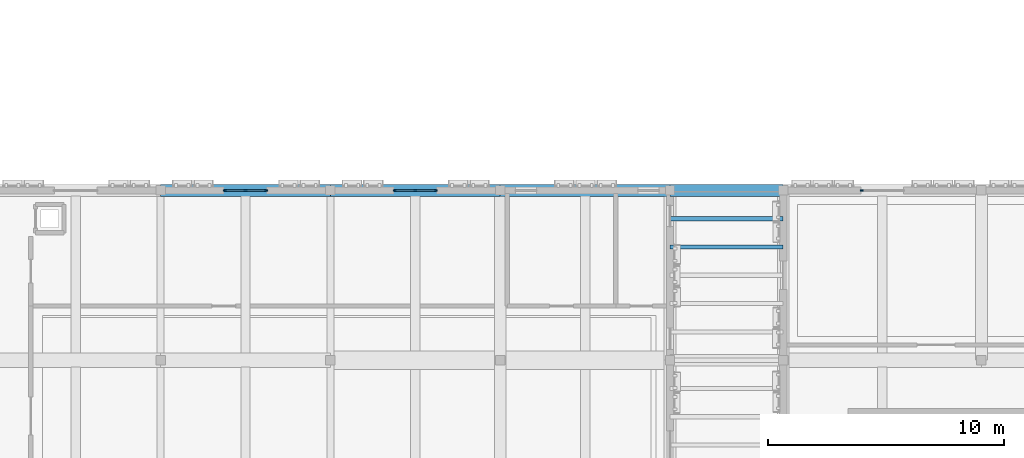
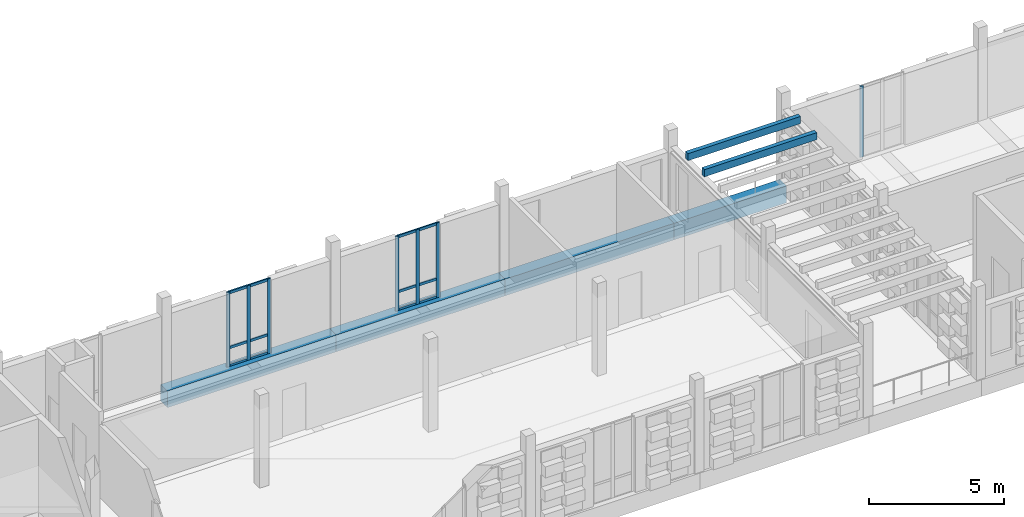
# One storey, part 23 of 99: 15 members, 4 beams, 3 elements without a shape of their own.
"""IFC4 building model written with IfcOpenShell, lengths in metres."""

from ifc_helpers import new_model, si_unit, direction, frame, origin, origin_2d, place, context, subcontext, project, spatial, rectangle, extrude, material, material_profile, profile_set, type_object, element, aggregate, save


model = new_model("IFC4")

# Units and contexts
model_context = context("Model", 3, precision=1e-05, world=origin(), true_north=direction((0.0, 1.0)))
body_context = subcontext(model_context, "Body", "Model", "MODEL_VIEW")
ifc_project = project(units=[si_unit("LENGTHUNIT", "METRE"), si_unit("AREAUNIT", "SQUARE_METRE"), si_unit("VOLUMEUNIT", "CUBIC_METRE"), si_unit("PLANEANGLEUNIT", "RADIAN"), si_unit("MASSUNIT", "GRAM", prefix="KILO")], contexts=[model_context])

# Site, building, storey
site_placement = place(None, origin())
site = spatial("IfcSite", under=ifc_project, at=site_placement, CompositionType="ELEMENT")
building_placement = place(site_placement, origin())
building = spatial("IfcBuilding", under=site, at=building_placement, Name="Kahlenmark Community Centre", CompositionType="ELEMENT")
storey_placement = place(building_placement, frame((0.0, 0.0, 5.39990234375)))
storey = spatial("IfcBuildingStorey", under=building, at=storey_placement, Name="L01", CompositionType="ELEMENT", Elevation=5.39990234375)

# Beams
ifc_material_1 = material(Name="Concrete C35/45", Category="concrete")
ifc_material_profile_1 = material_profile(ifc_material_1, rectangle(XDim=0.5, YDim=0.75, at=origin_2d()), Name="RC 500x750")
ifc_profile_set_1 = profile_set([ifc_material_profile_1], Name="Concrete C35/45")
beam_type = type_object("IfcBeamType", Name="BT-SPANDREL-RC500x750", PredefinedType="SPANDREL", material=ifc_profile_set_1)
beam_1_placement = place(storey_placement, frame((65.199951171875, 23.199951171875, -0.375), z_axis=(1.0, 0.0, 0.0), x_axis=(0.0, 1.0, 0.0)))
element("IfcBeam", 1, at=beam_1_placement, inside=storey, type_object=beam_type, Name="L01 spandrel SP-RC500x750", PredefinedType="SPANDREL", context=body_context, shape_type="SweptSolid", body=[
    extrude(rectangle(XDim=0.5, YDim=0.75, at=origin_2d()), origin(), (0.0, 0.0, 1.0), 7.199951171875),
])
beam_2_placement = place(storey_placement, frame((72.39990234375, 23.199951171875, -0.375), z_axis=(1.0, 0.0, 0.0), x_axis=(0.0, 1.0, 0.0)))
element("IfcBeam", 2, at=beam_2_placement, inside=storey, type_object=beam_type, Name="L01 spandrel SP-RC500x750", PredefinedType="SPANDREL", context=body_context, shape_type="SweptSolid", body=[
    extrude(rectangle(XDim=0.5, YDim=0.75, at=origin_2d()), origin(), (0.0, 0.0, 1.0), 7.2001953125),
])
beam_3_placement = place(storey_placement, frame((79.60009765625, 23.199951171875, -0.375), z_axis=(1.0, 0.0, 0.0), x_axis=(0.0, 1.0, 0.0)))
element("IfcBeam", 3, at=beam_3_placement, inside=storey, type_object=beam_type, Name="L01 spandrel SP-RC500x750", PredefinedType="SPANDREL", context=body_context, shape_type="SweptSolid", body=[
    extrude(rectangle(XDim=0.5, YDim=0.75, at=origin_2d()), origin(), (0.0, 0.0, 1.0), 7.199951171875),
])
beam_4_placement = place(storey_placement, frame((86.800048828125, 23.199951171875, -0.375), z_axis=(1.0, 0.0, 0.0), x_axis=(0.0, 1.0, 0.0)))
element("IfcBeam", 4, at=beam_4_placement, inside=storey, type_object=beam_type, Name="L01 spandrel SP-RC500x750", PredefinedType="SPANDREL", context=body_context, shape_type="SweptSolid", body=[
    extrude(rectangle(XDim=0.5, YDim=0.75, at=origin_2d()), origin(), (0.0, 0.0, 1.0), 4.800048828125),
])

# Curtain wall, members
ifc_material_2 = material(Name="Anodised aluminium unitised curtain wall", Category="aluminium")
curtain_wall_type_1 = type_object("IfcCurtainWallType", Name="CWT-UNIT-180X337", PredefinedType="USERDEFINED", material=ifc_material_2)
curtain_wall_1_placement = place(storey_placement, origin())
curtain_wall_1 = element("IfcCurtainWall", 5, at=curtain_wall_1_placement, inside=storey, type_object=curtain_wall_type_1, Name="Unitised curtain wall CW-025", ObjectType="UNITISED CURTAIN WALL", PredefinedType="USERDEFINED")
ifc_material_3 = material(Name="Anodised aluminium 6063-T6", Category="aluminium")
ifc_material_profile_2 = material_profile(ifc_material_3, rectangle(XDim=0.06005859375, YDim=0.139892578125, at=origin_2d()), Name="ALU MULLION 60x140")
ifc_profile_set_2 = profile_set([ifc_material_profile_2], Name="Anodised aluminium 6063-T6")
member_type_1 = type_object("IfcMemberType", Name="MT-MUL-140", PredefinedType="MULLION", material=ifc_profile_set_2)
member_1_placement = place(storey_placement, frame((69.669921875, 23.199951171875, 0.0), z_axis=(0.0, 0.0, 1.0), x_axis=(0.0, -1.0, 0.0)))
member_1 = element("IfcMember", 6, at=member_1_placement, type_object=member_type_1, Name="CW-025 mullion 1", PredefinedType="MULLION", context=body_context, shape_type="SweptSolid", body=[
    extrude(rectangle(XDim=0.06005859375, YDim=0.139892578125, at=origin_2d()), origin(), (0.0, 0.0, 1.0), 3.3701171875),
])
member_2_placement = place(storey_placement, frame((68.800048828125, 23.199951171875, 0.0), z_axis=(0.0, 0.0, 1.0), x_axis=(0.0, -1.0, 0.0)))
member_2 = element("IfcMember", 7, at=member_2_placement, type_object=member_type_1, Name="CW-025 mullion 2", PredefinedType="MULLION", context=body_context, shape_type="SweptSolid", body=[
    extrude(rectangle(XDim=0.06005859375, YDim=0.139892578125, at=origin_2d()), origin(), (0.0, 0.0, 1.0), 3.3701171875),
])
member_3_placement = place(storey_placement, frame((67.929931640625, 23.199951171875, 0.0), z_axis=(0.0, 0.0, 1.0), x_axis=(0.0, -1.0, 0.0)))
member_3 = element("IfcMember", 8, at=member_3_placement, type_object=member_type_1, Name="CW-025 mullion 3", PredefinedType="MULLION", context=body_context, shape_type="SweptSolid", body=[
    extrude(rectangle(XDim=0.06005859375, YDim=0.139892578125, at=origin_2d()), origin(), (0.0, 0.0, 1.0), 3.3701171875),
])

curtain_wall_2_placement = place(storey_placement, origin())
curtain_wall_2 = element("IfcCurtainWall", 9, at=curtain_wall_2_placement, inside=storey, type_object=curtain_wall_type_1, Name="Unitised curtain wall CW-026", ObjectType="UNITISED CURTAIN WALL", PredefinedType="USERDEFINED")
member_4_placement = place(storey_placement, frame((76.8701171875, 23.199951171875, 0.0), z_axis=(0.0, 0.0, 1.0), x_axis=(0.0, -1.0, 0.0)))
member_4 = element("IfcMember", 10, at=member_4_placement, type_object=member_type_1, Name="CW-026 mullion 1", PredefinedType="MULLION", context=body_context, shape_type="SweptSolid", body=[
    extrude(rectangle(XDim=0.06005859375, YDim=0.139892578125, at=origin_2d()), origin(), (0.0, 0.0, 1.0), 3.3701171875),
])
member_5_placement = place(storey_placement, frame((76.0, 23.199951171875, 0.0), z_axis=(0.0, 0.0, 1.0), x_axis=(0.0, -1.0, 0.0)))
member_5 = element("IfcMember", 11, at=member_5_placement, type_object=member_type_1, Name="CW-026 mullion 2", PredefinedType="MULLION", context=body_context, shape_type="SweptSolid", body=[
    extrude(rectangle(XDim=0.06005859375, YDim=0.139892578125, at=origin_2d()), origin(), (0.0, 0.0, 1.0), 3.3701171875),
])
member_6_placement = place(storey_placement, frame((75.1298828125, 23.199951171875, 0.0), z_axis=(0.0, 0.0, 1.0), x_axis=(0.0, -1.0, 0.0)))
member_6 = element("IfcMember", 12, at=member_6_placement, type_object=member_type_1, Name="CW-026 mullion 3", PredefinedType="MULLION", context=body_context, shape_type="SweptSolid", body=[
    extrude(rectangle(XDim=0.06005859375, YDim=0.139892578125, at=origin_2d()), origin(), (0.0, 0.0, 1.0), 3.3701171875),
])

# Curtain wall, member
curtain_wall_type_2 = type_object("IfcCurtainWallType", Name="CWT-UNIT-180X321", PredefinedType="USERDEFINED", material=ifc_material_2)
curtain_wall_3_placement = place(storey_placement, origin())
curtain_wall_3 = element("IfcCurtainWall", 13, at=curtain_wall_3_placement, inside=storey, type_object=curtain_wall_type_2, Name="Unitised curtain wall CW-047", ObjectType="UNITISED CURTAIN WALL", PredefinedType="USERDEFINED")
member_7_placement = place(storey_placement, frame((94.929931640625, 23.199951171875, 0.0), z_axis=(0.0, 0.0, 1.0), x_axis=(0.0, -1.0, 0.0)))
member_7 = element("IfcMember", 14, at=member_7_placement, type_object=member_type_1, Name="CW-047 mullion 3", PredefinedType="MULLION", context=body_context, shape_type="SweptSolid", body=[
    extrude(rectangle(XDim=0.06005859375, YDim=0.139892578125, at=origin_2d()), origin(), (0.0, 0.0, 1.0), 3.210205078125),
])
aggregate(curtain_wall_3, [member_7])

# Members
ifc_material_4 = material(Name="Glulam GL28h", Category="wood")
ifc_material_profile_3 = material_profile(ifc_material_4, rectangle(XDim=0.179931640625, YDim=0.320068359375, at=origin_2d()), Name="GL28h 180x320")
ifc_profile_set_3 = profile_set([ifc_material_profile_3], Name="Glulam GL28h")
member_type_2 = type_object("IfcMemberType", Name="MT-RAFTER-GL28h180x320", PredefinedType="RAFTER", material=ifc_profile_set_3)
for number, where, z_axis, x_axis, name in (
    (15, (86.800048828125, 20.800048828125, 3.610107421875), (1.0, 0.0, 0.0), (0.0, 1.0, 0.0), "L01 rafter PRG-RAF"),
    (16, (86.800048828125, 22.0, 3.610107421875), (1.0, 0.0, 0.0), (0.0, 1.0, 0.0), "L01 rafter PRG-RAF"),
):
    element("IfcMember", number, at=place(storey_placement, frame(where, z_axis=z_axis, x_axis=x_axis)), inside=storey, type_object=member_type_2, Name=name, PredefinedType="RAFTER", context=body_context, shape_type="SweptSolid", body=[
        extrude(rectangle(XDim=0.179931640625, YDim=0.320068359375, at=origin_2d()), origin(), (0.0, 0.0, 1.0), 4.800048828125),
    ])

# Member
ifc_material_profile_4 = material_profile(ifc_material_3, rectangle(XDim=0.06005859375, YDim=0.1201171875, at=origin_2d()), Name="ALU TRANSOM 60x120")
ifc_profile_set_4 = profile_set([ifc_material_profile_4], Name="Anodised aluminium 6063-T6")
member_type_3 = type_object("IfcMemberType", Name="MT-TRN-120", PredefinedType="USERDEFINED", material=ifc_profile_set_4)
member_8_placement = place(storey_placement, frame((69.669921875, 23.199951171875, 0.0400390625), z_axis=(-1.0, 0.0, 0.0), x_axis=(0.0, -1.0, 0.0)))
member_8 = element("IfcMember", 17, at=member_8_placement, type_object=member_type_3, Name="CW-025 transom 1", ObjectType="TRANSOM", PredefinedType="USERDEFINED", context=body_context, shape_type="SweptSolid", body=[
    extrude(rectangle(XDim=0.06005859375, YDim=0.1201171875, at=origin_2d()), origin(), (0.0, 0.0, 1.0), 1.739990234375),
])

member_9_placement = place(storey_placement, frame((69.669921875, 23.199951171875, 0.85009765625), z_axis=(-1.0, 0.0, 0.0), x_axis=(0.0, -1.0, 0.0)))
member_9 = element("IfcMember", 18, at=member_9_placement, type_object=member_type_3, Name="CW-025 transom 2", ObjectType="TRANSOM", PredefinedType="USERDEFINED", context=body_context, shape_type="SweptSolid", body=[
    extrude(rectangle(XDim=0.06005859375, YDim=0.1201171875, at=origin_2d()), origin(), (0.0, 0.0, 1.0), 1.739990234375),
])

member_10_placement = place(storey_placement, frame((69.669921875, 23.199951171875, 3.330078125), z_axis=(-1.0, 0.0, 0.0), x_axis=(0.0, -1.0, 0.0)))
member_10 = element("IfcMember", 19, at=member_10_placement, type_object=member_type_3, Name="CW-025 transom 3", ObjectType="TRANSOM", PredefinedType="USERDEFINED", context=body_context, shape_type="SweptSolid", body=[
    extrude(rectangle(XDim=0.06005859375, YDim=0.1201171875, at=origin_2d()), origin(), (0.0, 0.0, 1.0), 1.739990234375),
])

aggregate(curtain_wall_1, [member_1, member_2, member_3, member_8, member_9, member_10])

member_11_placement = place(storey_placement, frame((76.8701171875, 23.199951171875, 0.0400390625), z_axis=(-1.0, 0.0, 0.0), x_axis=(0.0, -1.0, 0.0)))
member_11 = element("IfcMember", 20, at=member_11_placement, type_object=member_type_3, Name="CW-026 transom 1", ObjectType="TRANSOM", PredefinedType="USERDEFINED", context=body_context, shape_type="SweptSolid", body=[
    extrude(rectangle(XDim=0.06005859375, YDim=0.1201171875, at=origin_2d()), origin(), (0.0, 0.0, 1.0), 1.740234375),
])

member_12_placement = place(storey_placement, frame((76.8701171875, 23.199951171875, 0.85009765625), z_axis=(-1.0, 0.0, 0.0), x_axis=(0.0, -1.0, 0.0)))
member_12 = element("IfcMember", 21, at=member_12_placement, type_object=member_type_3, Name="CW-026 transom 2", ObjectType="TRANSOM", PredefinedType="USERDEFINED", context=body_context, shape_type="SweptSolid", body=[
    extrude(rectangle(XDim=0.06005859375, YDim=0.1201171875, at=origin_2d()), origin(), (0.0, 0.0, 1.0), 1.740234375),
])

member_13_placement = place(storey_placement, frame((76.8701171875, 23.199951171875, 3.330078125), z_axis=(-1.0, 0.0, 0.0), x_axis=(0.0, -1.0, 0.0)))
member_13 = element("IfcMember", 22, at=member_13_placement, type_object=member_type_3, Name="CW-026 transom 3", ObjectType="TRANSOM", PredefinedType="USERDEFINED", context=body_context, shape_type="SweptSolid", body=[
    extrude(rectangle(XDim=0.06005859375, YDim=0.1201171875, at=origin_2d()), origin(), (0.0, 0.0, 1.0), 1.740234375),
])

aggregate(curtain_wall_2, [member_4, member_5, member_6, member_11, member_12, member_13])

save(model, "model.ifc")
